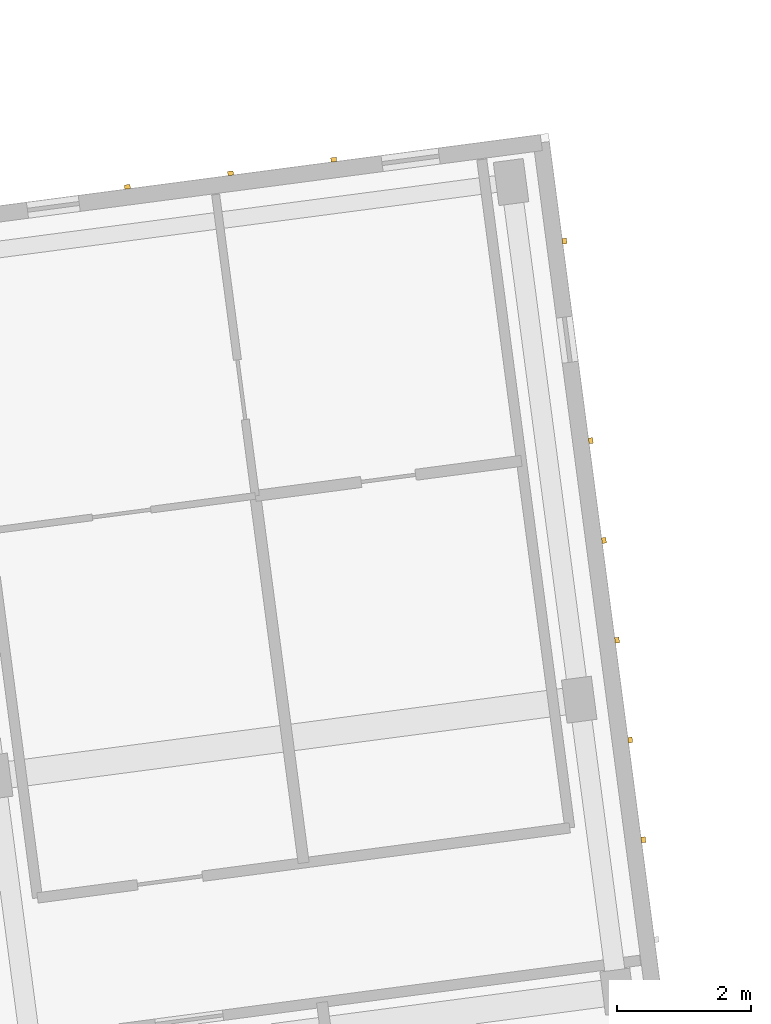
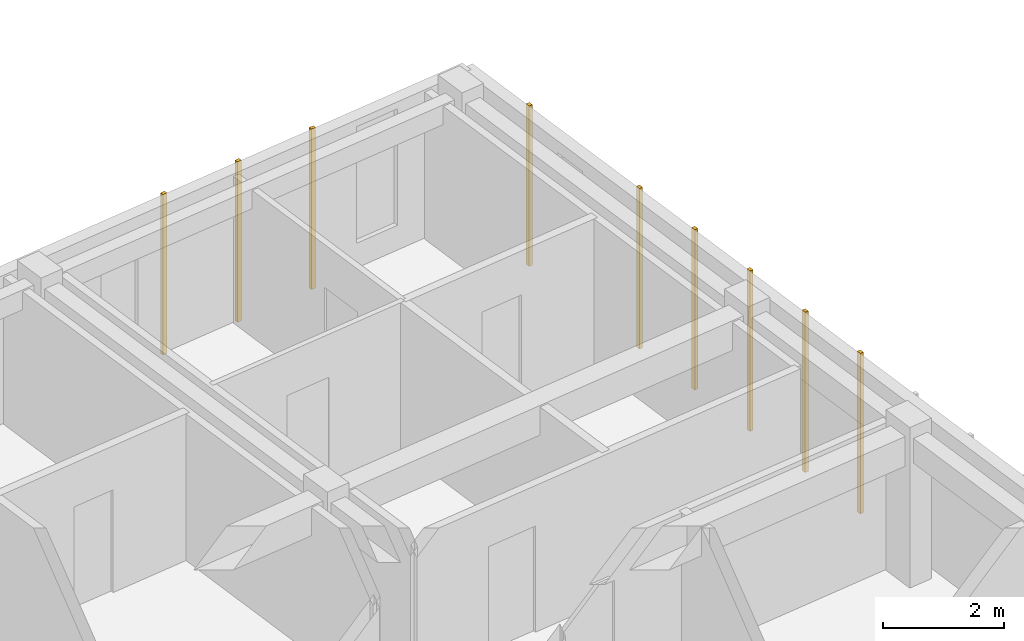
# One storey, part 37 of 45: 9 coverings.
"""IFC4 building model written with IfcOpenShell, lengths in metres."""

from ifc_helpers import new_model, si_unit, direction, frame, origin, origin_2d, place, context, subcontext, project, spatial, rectangle, extrude, material, layer, layer_set, type_object, element, save


model = new_model("IFC4")

# Units and contexts
model_context = context("Model", 3, precision=1e-05, world=origin(), true_north=direction((0.0, 1.0)))
body_context = subcontext(model_context, "Body", "Model", "MODEL_VIEW")
ifc_project = project(units=[si_unit("LENGTHUNIT", "METRE"), si_unit("AREAUNIT", "SQUARE_METRE"), si_unit("VOLUMEUNIT", "CUBIC_METRE"), si_unit("PLANEANGLEUNIT", "RADIAN"), si_unit("MASSUNIT", "GRAM", prefix="KILO")], contexts=[model_context])

# Site, building, storey
site_placement = place(None, origin())
site = spatial("IfcSite", under=ifc_project, at=site_placement, CompositionType="ELEMENT")
building_placement = place(site_placement, origin())
building = spatial("IfcBuilding", under=site, at=building_placement, Name="Kestramere Prow Commons", CompositionType="ELEMENT")
storey_placement = place(building_placement, frame((0.0, 0.0, 31.14990234375)))
storey = spatial("IfcBuildingStorey", under=building, at=storey_placement, Name="L09", CompositionType="ELEMENT", Elevation=31.14990234375)

# Coverings
ifc_material = material(Name="Weathered Zinc-Titanium Standing-Seam Cladding")
ifc_layer = layer(ifc_material, 0.074951171875)
ifc_layer_set = layer_set([ifc_layer], Name="Weathered Zinc-Titanium Standing-Seam Cladding")
covering_type = type_object("IfcCoveringType", Name="COV-CLAD-SEAM", PredefinedType="CLADDING", material=ifc_layer_set)
for number, where, z_axis, x_axis, name in (
    (1, (55.206298828125, 98.6494140625, -0.25), (0.0, 0.0, 1.0), (0.991444861374, 0.13052619222, 0.0), "EW-A-L09-N-5 Standing-Seam Rib 2"),
    (2, (56.747314453125, 98.852294921875, -0.25), (0.0, 0.0, 1.0), (0.991444861374, 0.13052619222, 0.0), "EW-A-L09-N-5 Standing-Seam Rib 3"),
    (3, (58.2880859375, 99.05517578125, -0.25), (0.0, 0.0, 1.0), (0.991444861374, 0.13052619222, 0.0), "EW-A-L09-N-5 Standing-Seam Rib 4"),
    (4, (61.7373046875, 97.8388671875, -0.25), (0.0, 0.0, 1.0), (0.13052619222, -0.991444861374, 0.0), "EW-A-L09-EAV Standing-Seam Rib 1"),
    (5, (62.129638671875, 94.857421875, -0.25), (0.0, 0.0, 1.0), (0.13052619222, -0.991444861374, 0.0), "EW-A-L09-EAV Standing-Seam Rib 3"),
    (6, (62.325927734375, 93.36669921875, -0.25), (0.0, 0.0, 1.0), (0.13052619222, -0.991444861374, 0.0), "EW-A-L09-EAV Standing-Seam Rib 4"),
    (7, (62.522216796875, 91.8759765625, -0.25), (0.0, 0.0, 1.0), (0.13052619222, -0.991444861374, 0.0), "EW-A-L09-EAV Standing-Seam Rib 5"),
    (8, (62.718505859375, 90.38525390625, -0.25), (0.0, 0.0, 1.0), (0.13052619222, -0.991444861374, 0.0), "EW-A-L09-EAV Standing-Seam Rib 6"),
    (9, (62.914794921875, 88.894775390625, -0.25), (0.0, 0.0, 1.0), (0.13052619222, -0.991444861374, 0.0), "EW-A-L09-EAV Standing-Seam Rib 7"),
):
    element("IfcCovering", number, at=place(storey_placement, frame(where, z_axis=z_axis, x_axis=x_axis)), inside=storey, type_object=covering_type, Name=name, PredefinedType="CLADDING", context=body_context, shape_type="SweptSolid", body=[
        extrude(rectangle(XDim=0.0849609375, YDim=0.06494140625, at=origin_2d()), origin(), (0.0, 0.0, 1.0), 3.25),
    ])

save(model, "model.ifc")
